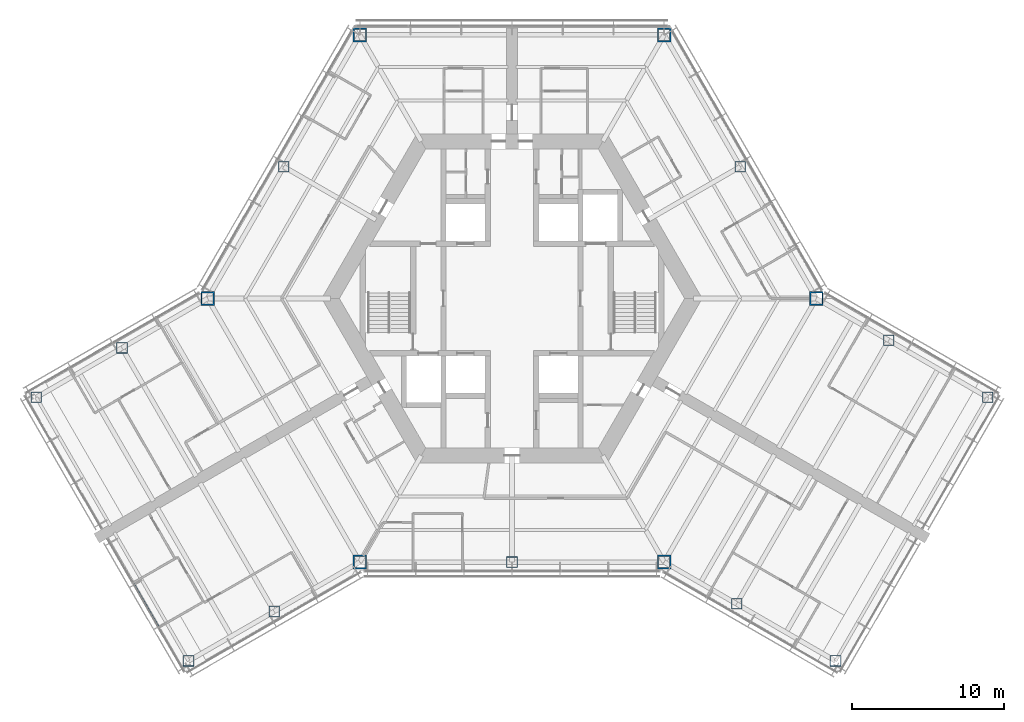
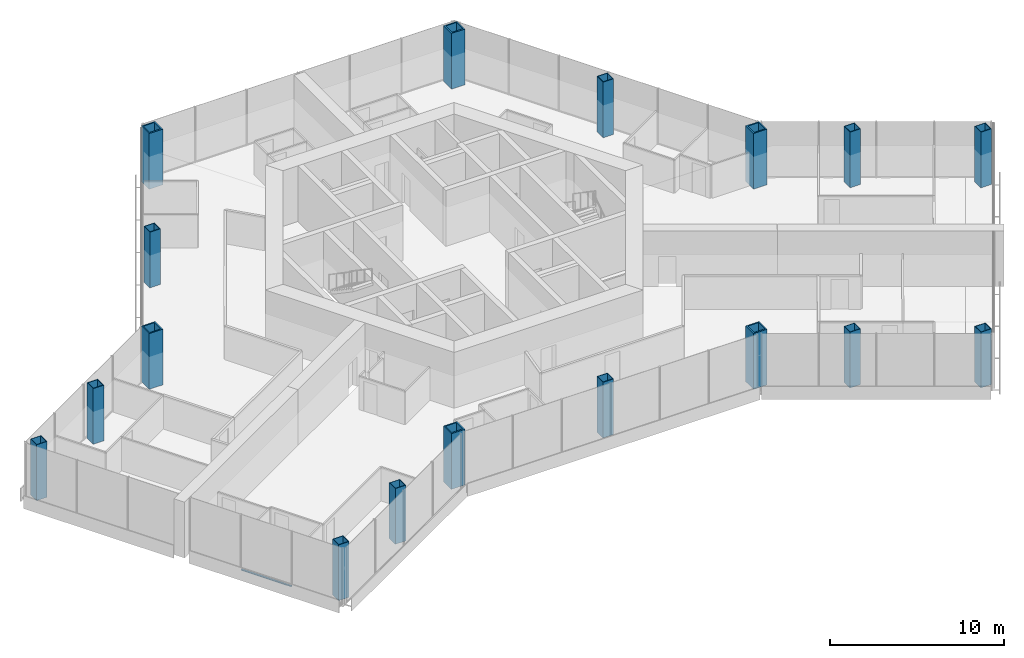
# One storey, part 1 of 18: 17 columns, 1 member, 1 element without a shape of its own.
"""IFC4 building model written with IfcOpenShell, lengths in metres."""

from ifc_helpers import new_model, si_unit, direction, frame, origin, origin_2d, place, context, subcontext, project, spatial, rectangle, hollow_rectangle, extrude, material, material_profile, profile_set, type_object, element, aggregate, save


model = new_model("IFC4")

# Units and contexts
model_context = context("Model", 3, precision=1e-05, world=origin(), true_north=direction((0.0, 1.0)))
body_context = subcontext(model_context, "Body", "Model", "MODEL_VIEW")
ifc_project = project(units=[si_unit("LENGTHUNIT", "METRE"), si_unit("AREAUNIT", "SQUARE_METRE"), si_unit("VOLUMEUNIT", "CUBIC_METRE"), si_unit("PLANEANGLEUNIT", "RADIAN"), si_unit("MASSUNIT", "GRAM", prefix="KILO")], contexts=[model_context])

# Site, building, storey
site_placement = place(None, origin())
site = spatial("IfcSite", under=ifc_project, at=site_placement, CompositionType="ELEMENT")
building_placement = place(site_placement, origin())
building = spatial("IfcBuilding", under=site, at=building_placement, Name="Kasaneha Research Tower", CompositionType="ELEMENT")
storey_placement = place(building_placement, frame((0.0, 0.0, 199.39990234375)))
storey = spatial("IfcBuildingStorey", under=building, at=storey_placement, Name="L50", CompositionType="ELEMENT", Elevation=199.39990234375)

# Columns
ifc_material_1 = material(Name="Steel SN490C", Category="steel")
ifc_material_profile_1 = material_profile(ifc_material_1, hollow_rectangle(XDim=0.699951171875, YDim=0.699951171875, WallThickness=0.035888671875, at=origin_2d()), Name="BOX-700x700x36")
ifc_profile_set_1 = profile_set([ifc_material_profile_1], Name="Steel SN490C")
column_type_1 = type_object("IfcColumnType", Name="C3B column BOX-700x700x36", PredefinedType="COLUMN", material=ifc_profile_set_1)
for number, where, z_axis, x_axis, name in (
    (1, (15.0, 8.66015625, 0.0), (0.0, 0.0, 1.0), (1.0, 0.0, 0.0), "Column M030 L50"),
    (2, (-15.0, 8.66015625, 0.0), (0.0, 0.0, 1.0), (1.0, 0.0, 0.0), "Column M150 L50"),
    (3, (0.0, -17.320556640625, 0.0), (0.0, 0.0, 1.0), (1.0, 0.0, 0.0), "Column M270 L50"),
    (4, (-25.629150390625, -3.25, 0.0), (0.0, 0.0, 1.0), (1.0, 0.0, 0.0), "Column BSP L50"),
    (5, (-31.25830078125, -6.5, 0.0), (0.0, 0.0, 1.0), (1.0, 0.0, 0.0), "Column BTP L50"),
    (6, (-15.629150390625, -20.570556640625, 0.0), (0.0, 0.0, 1.0), (1.0, 0.0, 0.0), "Column BSN L50"),
    (7, (-21.25830078125, -23.820556640625, 0.0), (0.0, 0.0, 1.0), (1.0, 0.0, 0.0), "Column BTN L50"),
    (8, (14.76318359375, -20.070556640625, 0.0), (0.0, 0.0, 1.0), (1.0, 0.0, 0.0), "Column CSP L50"),
    (9, (21.25830078125, -23.820556640625, 0.0), (0.0, 0.0, 1.0), (1.0, 0.0, 0.0), "Column CTP L50"),
    (10, (24.76318359375, -2.75, 0.0), (0.0, 0.0, 1.0), (1.0, 0.0, 0.0), "Column CSN L50"),
    (11, (31.25830078125, -6.5, 0.0), (0.0, 0.0, 1.0), (1.0, 0.0, 0.0), "Column CTN L50"),
):
    element("IfcColumn", number, at=place(storey_placement, frame(where, z_axis=z_axis, x_axis=x_axis)), inside=storey, type_object=column_type_1, Name=name, PredefinedType="COLUMN", context=body_context, shape_type="SweptSolid", body=[
        extrude(hollow_rectangle(XDim=0.699951171875, YDim=0.699951171875, WallThickness=0.035888671875, at=origin_2d()), origin(), (0.0, 0.0, 1.0), 3.900146484375),
    ])
ifc_material_2 = material(Name="Steel SN490C", Category="steel")
ifc_material_profile_2 = material_profile(ifc_material_2, hollow_rectangle(XDim=0.89990234375, YDim=0.89990234375, WallThickness=0.090087890625, at=origin_2d()), Name="BOX-900x900x90")
ifc_profile_set_2 = profile_set([ifc_material_profile_2], Name="Steel SN490C")
column_type_2 = type_object("IfcColumnType", Name="CT2 column BOX-900x900x90", PredefinedType="COLUMN", material=ifc_profile_set_2)
for number, where, z_axis, x_axis, name in (
    (12, (20.0, 0.0, 0.0), (0.0, 0.0, 1.0), (1.0, 0.0, 0.0), "Column V0 L50"),
    (13, (10.0, 17.320556640625, 0.0), (0.0, 0.0, 1.0), (1.0, 0.0, 0.0), "Column V1 L50"),
    (14, (-10.0, 17.320556640625, 0.0), (0.0, 0.0, 1.0), (1.0, 0.0, 0.0), "Column V2 L50"),
    (15, (-20.0, 0.0, 0.0), (0.0, 0.0, 1.0), (1.0, 0.0, 0.0), "Column V3 L50"),
    (16, (-10.0, -17.320556640625, 0.0), (0.0, 0.0, 1.0), (1.0, 0.0, 0.0), "Column V4 L50"),
    (17, (10.0, -17.320556640625, 0.0), (0.0, 0.0, 1.0), (1.0, 0.0, 0.0), "Column V5 L50"),
):
    element("IfcColumn", number, at=place(storey_placement, frame(where, z_axis=z_axis, x_axis=x_axis)), inside=storey, type_object=column_type_2, Name=name, PredefinedType="COLUMN", context=body_context, shape_type="SweptSolid", body=[
        extrude(hollow_rectangle(XDim=0.89990234375, YDim=0.89990234375, WallThickness=0.090087890625, at=origin_2d()), origin(), (0.0, 0.0, 1.0), 3.900146484375),
    ])

# Curtain wall, member
ifc_material_3 = material(Name="Glass and aluminium", Category="aluminium")
curtain_wall_type = type_object("IfcCurtainWallType", Name="Mid-rise office curtain wall", PredefinedType="USERDEFINED", material=ifc_material_3)
curtain_wall_placement = place(storey_placement, origin())
curtain_wall = element("IfcCurtainWall", 18, at=curtain_wall_placement, inside=storey, type_object=curtain_wall_type, Name="CW-O2 L50 run 11a", ObjectType="UNITISED CURTAIN WALL", PredefinedType="USERDEFINED")
ifc_material_4 = material(Name="Aluminium 6063-T6", Category="aluminium")
ifc_material_profile_3 = material_profile(ifc_material_4, rectangle(XDim=0.110107421875, YDim=0.06005859375, at=origin_2d()), Name="CW-O2 transom 110x60")
ifc_profile_set_3 = profile_set([ifc_material_profile_3], Name="Aluminium 6063-T6")
member_type = type_object("IfcMemberType", Name="CW-O2 transom", PredefinedType="USERDEFINED", material=ifc_profile_set_3)
member_placement = place(storey_placement, frame((-24.896240234375, -18.719482421875, 0.030029296875), z_axis=(0.500010745865, -0.866019199568, 0.0), x_axis=(0.866019199568, 0.500010745865, 0.0)))
member = element("IfcMember", 19, at=member_placement, type_object=member_type, Name="CW-O2 transom 2", ObjectType="TRANSOM", PredefinedType="USERDEFINED", context=body_context, shape_type="SweptSolid", body=[
    extrude(rectangle(XDim=0.110107421875, YDim=0.06005859375, at=origin_2d()), origin(), (0.0, 0.0, 1.0), 3.3232421875),
])
aggregate(curtain_wall, [member])

save(model, "model.ifc")
